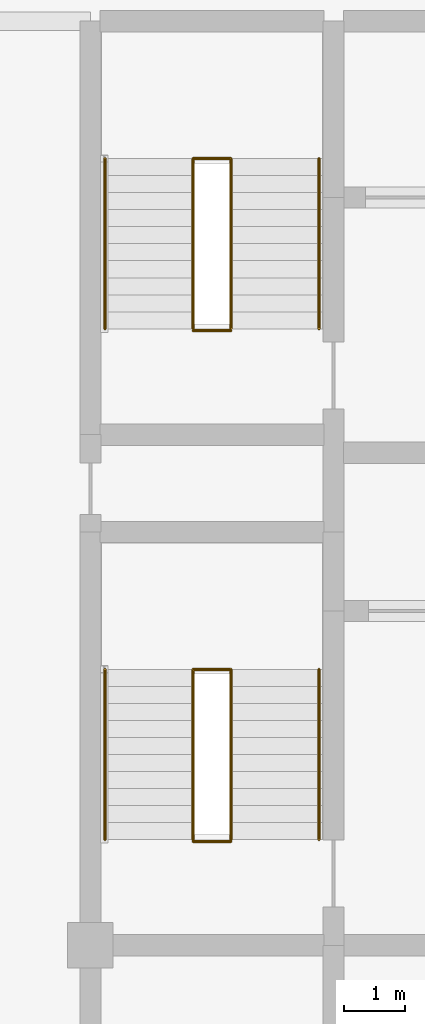
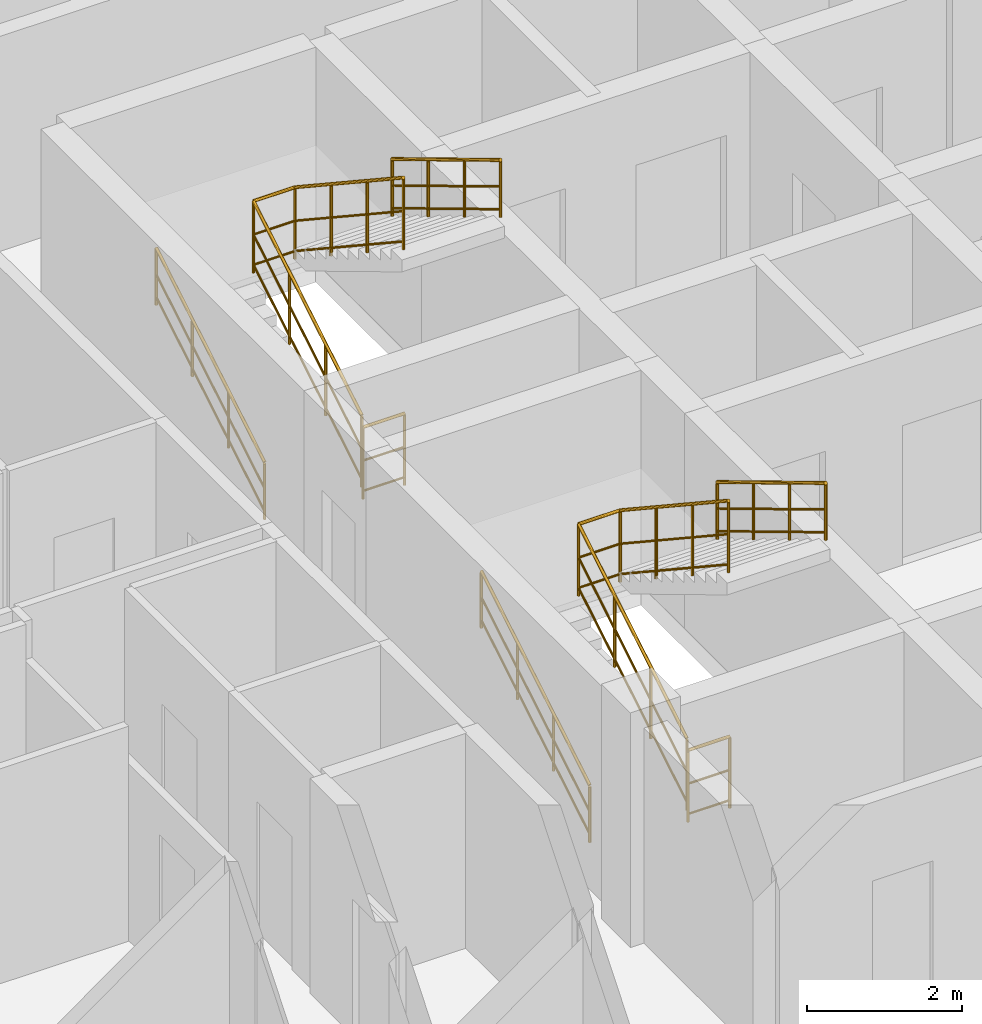
# One storey, part 27 of 27: 8 railings.
"""IFC4 building model written with IfcOpenShell, lengths in metres."""

from ifc_helpers import new_model, si_unit, direction, frame, origin, origin_2d, place, context, subcontext, project, spatial, circle, extrude, material, layer, layer_set, type_object, element, save


model = new_model("IFC4")

# Units and contexts
model_context = context("Model", 3, precision=1e-05, world=origin(), true_north=direction((0.0, 1.0)))
body_context = subcontext(model_context, "Body", "Model", "MODEL_VIEW")
ifc_project = project(units=[si_unit("LENGTHUNIT", "METRE"), si_unit("AREAUNIT", "SQUARE_METRE"), si_unit("VOLUMEUNIT", "CUBIC_METRE"), si_unit("PLANEANGLEUNIT", "RADIAN"), si_unit("MASSUNIT", "GRAM", prefix="KILO")], contexts=[model_context])

# Site, building, storey
site_placement = place(None, origin())
site = spatial("IfcSite", under=ifc_project, at=site_placement, CompositionType="ELEMENT")
building_placement = place(site_placement, origin())
building = spatial("IfcBuilding", under=site, at=building_placement, Name="Keshet Zoharim Tower", CompositionType="ELEMENT")
storey_placement = place(building_placement, frame((0.0, 0.0, 247.300048828125)))
storey = spatial("IfcBuildingStorey", under=building, at=storey_placement, Name="L61", CompositionType="ELEMENT", Elevation=247.300048828125)

# Railings
ifc_material = material(Name="Steel S355", Category="steel")
ifc_layer_1 = layer(ifc_material, 0.050048828125)
ifc_layer_set_1 = layer_set([ifc_layer_1], Name="Steel S355")
railing_type_1 = type_object("IfcRailingType", Name="RL-HND-092", PredefinedType="HANDRAIL", material=ifc_layer_set_1)
railing_1_placement = place(storey_placement, frame((15.239990234375, 24.43994140625, 0.168212890625)))
element("IfcRailing", 1, at=railing_1_placement, inside=storey, type_object=railing_type_1, Name="L61 ST-01 Flight 1 Wall Handrail", PredefinedType="HANDRAIL", context=body_context, shape_type="SweptSolid", body=[
    extrude(circle(Radius=0.02392578125, at=origin_2d()), frame((0.0, 0.0, 0.89599609375), z_axis=(0.0, 0.857275202839, 0.514858452973), x_axis=(-1.0, 0.0, 0.0)), (0.0, 0.0, 1.0), 3.26611328125),
    extrude(circle(Radius=0.01611328125, at=origin_2d()), frame((0.0, 0.0, 0.478271484375), z_axis=(0.0, 0.857275202839, 0.514858452973), x_axis=(-1.0, 0.0, 0.0)), (0.0, 0.0, 1.0), 3.26611328125),
    extrude(circle(Radius=0.01611328125, at=origin_2d()), frame((0.0, 0.0, 0.1201171875), z_axis=(0.0, 0.857275202839, 0.514858452973), x_axis=(-1.0, 0.0, 0.0)), (0.0, 0.0, 1.0), 3.26611328125),
    extrude(circle(Radius=0.02099609375, at=origin_2d()), origin(), (0.0, 0.0, 1.0), 0.871826171875),
    extrude(circle(Radius=0.02099609375, at=origin_2d()), frame((0.0, 0.933349609375, 0.560546875)), (0.0, 0.0, 1.0), 0.871826171875),
    extrude(circle(Radius=0.02099609375, at=origin_2d()), frame((0.0, 1.86669921875, 1.12109375)), (0.0, 0.0, 1.0), 0.871826171875),
    extrude(circle(Radius=0.02099609375, at=origin_2d()), frame((0.0, 2.800048828125, 1.681640625)), (0.0, 0.0, 1.0), 0.871826171875),
])
railing_2_placement = place(storey_placement, frame((18.760009765625, 27.239990234375, 2.01806640625)))
element("IfcRailing", 2, at=railing_2_placement, inside=storey, type_object=railing_type_1, Name="L61 ST-01 Flight 2 Wall Handrail", PredefinedType="HANDRAIL", context=body_context, shape_type="SweptSolid", body=[
    extrude(circle(Radius=0.02392578125, at=origin_2d()), frame((0.0, 0.0, 0.89599609375), z_axis=(0.0, -0.857242210791, 0.514913383045), x_axis=(1.0, 0.0, 0.0)), (0.0, 0.0, 1.0), 3.266357421875),
    extrude(circle(Radius=0.01611328125, at=origin_2d()), frame((0.0, 0.0, 0.478271484375), z_axis=(0.0, -0.857242210791, 0.514913383045), x_axis=(1.0, 0.0, 0.0)), (0.0, 0.0, 1.0), 3.266357421875),
    extrude(circle(Radius=0.01611328125, at=origin_2d()), frame((0.0, 0.0, 0.1201171875), z_axis=(0.0, -0.857242210791, 0.514913383045), x_axis=(1.0, 0.0, 0.0)), (0.0, 0.0, 1.0), 3.266357421875),
    extrude(circle(Radius=0.02099609375, at=origin_2d()), origin(), (0.0, 0.0, 1.0), 0.871826171875),
    extrude(circle(Radius=0.02099609375, at=origin_2d()), frame((0.0, -0.933349609375, 0.560546875)), (0.0, 0.0, 1.0), 0.871826171875),
    extrude(circle(Radius=0.02099609375, at=origin_2d()), frame((0.0, -1.86669921875, 1.121337890625)), (0.0, 0.0, 1.0), 0.871826171875),
    extrude(circle(Radius=0.02099609375, at=origin_2d()), frame((0.0, -2.800048828125, 1.681884765625)), (0.0, 0.0, 1.0), 0.871826171875),
])
railing_3_placement = place(storey_placement, frame((15.239990234375, 32.840087890625, 0.168212890625)))
element("IfcRailing", 3, at=railing_3_placement, inside=storey, type_object=railing_type_1, Name="L61 ST-02 Flight 1 Wall Handrail", PredefinedType="HANDRAIL", context=body_context, shape_type="SweptSolid", body=[
    extrude(circle(Radius=0.02392578125, at=origin_2d()), frame((0.0, 0.0, 0.89599609375), z_axis=(0.0, 0.857255387014, 0.514891446264), x_axis=(-1.0, 0.0, 0.0)), (0.0, 0.0, 1.0), 3.26611328125),
    extrude(circle(Radius=0.01611328125, at=origin_2d()), frame((0.0, 0.0, 0.478271484375), z_axis=(0.0, 0.857255387014, 0.514891446264), x_axis=(-1.0, 0.0, 0.0)), (0.0, 0.0, 1.0), 3.26611328125),
    extrude(circle(Radius=0.01611328125, at=origin_2d()), frame((0.0, 0.0, 0.1201171875), z_axis=(0.0, 0.857255387014, 0.514891446264), x_axis=(-1.0, 0.0, 0.0)), (0.0, 0.0, 1.0), 3.26611328125),
    extrude(circle(Radius=0.02099609375, at=origin_2d()), origin(), (0.0, 0.0, 1.0), 0.871826171875),
    extrude(circle(Radius=0.02099609375, at=origin_2d()), frame((0.0, 0.933349609375, 0.560546875)), (0.0, 0.0, 1.0), 0.871826171875),
    extrude(circle(Radius=0.02099609375, at=origin_2d()), frame((0.0, 1.866455078125, 1.12109375)), (0.0, 0.0, 1.0), 0.871826171875),
    extrude(circle(Radius=0.02099609375, at=origin_2d()), frame((0.0, 2.7998046875, 1.681640625)), (0.0, 0.0, 1.0), 0.871826171875),
])
railing_4_placement = place(storey_placement, frame((18.760009765625, 35.639892578125, 2.01806640625)))
element("IfcRailing", 4, at=railing_4_placement, inside=storey, type_object=railing_type_1, Name="L61 ST-02 Flight 2 Wall Handrail", PredefinedType="HANDRAIL", context=body_context, shape_type="SweptSolid", body=[
    extrude(circle(Radius=0.02392578125, at=origin_2d()), frame((0.0, 0.0, 0.89599609375), z_axis=(0.0, -0.857222391501, 0.514946377315), x_axis=(1.0, 0.0, 0.0)), (0.0, 0.0, 1.0), 3.26611328125),
    extrude(circle(Radius=0.01611328125, at=origin_2d()), frame((0.0, 0.0, 0.478271484375), z_axis=(0.0, -0.857222391501, 0.514946377315), x_axis=(1.0, 0.0, 0.0)), (0.0, 0.0, 1.0), 3.26611328125),
    extrude(circle(Radius=0.01611328125, at=origin_2d()), frame((0.0, 0.0, 0.1201171875), z_axis=(0.0, -0.857222391501, 0.514946377315), x_axis=(1.0, 0.0, 0.0)), (0.0, 0.0, 1.0), 3.26611328125),
    extrude(circle(Radius=0.02099609375, at=origin_2d()), origin(), (0.0, 0.0, 1.0), 0.871826171875),
    extrude(circle(Radius=0.02099609375, at=origin_2d()), frame((0.0, -0.933349609375, 0.560546875)), (0.0, 0.0, 1.0), 0.871826171875),
    extrude(circle(Radius=0.02099609375, at=origin_2d()), frame((0.0, -1.866455078125, 1.121337890625)), (0.0, 0.0, 1.0), 0.871826171875),
    extrude(circle(Radius=0.02099609375, at=origin_2d()), frame((0.0, -2.7998046875, 1.681884765625)), (0.0, 0.0, 1.0), 0.871826171875),
])
ifc_layer_2 = layer(ifc_material, 0.06005859375)
ifc_layer_set_2 = layer_set([ifc_layer_2], Name="Steel S355")
railing_type_2 = type_object("IfcRailingType", Name="RL-STG-115", PredefinedType="GUARDRAIL", material=ifc_layer_set_2)
railing_5_placement = place(storey_placement, frame((16.68994140625, 24.43994140625, 0.168212890625)))
element("IfcRailing", 5, at=railing_5_placement, inside=storey, type_object=railing_type_2, Name="L61 ST-01 Inner Well Guardrail", PredefinedType="GUARDRAIL", context=body_context, shape_type="SweptSolid", body=[
    extrude(circle(Radius=0.02392578125, at=origin_2d()), frame((0.0, 0.0, 1.1259765625), z_axis=(0.0, 0.857275202839, 0.514858452973), x_axis=(-1.0, 0.0, 0.0)), (0.0, 0.0, 1.0), 3.26611328125),
    extrude(circle(Radius=0.01611328125, at=origin_2d()), frame((0.0, 0.0, 0.597900390625), z_axis=(0.0, 0.857275202839, 0.514858452973), x_axis=(-1.0, 0.0, 0.0)), (0.0, 0.0, 1.0), 3.26611328125),
    extrude(circle(Radius=0.01611328125, at=origin_2d()), frame((0.0, 0.0, 0.1201171875), z_axis=(0.0, 0.857275202839, 0.514858452973), x_axis=(-1.0, 0.0, 0.0)), (0.0, 0.0, 1.0), 3.26611328125),
    extrude(circle(Radius=0.02392578125, at=origin_2d()), frame((0.0, 2.800048828125, 2.8076171875), z_axis=(1.0, 0.0, 0.0), x_axis=(0.0, 1.0, 0.0)), (0.0, 0.0, 1.0), 0.6201171875),
    extrude(circle(Radius=0.01611328125, at=origin_2d()), frame((0.0, 2.800048828125, 2.279541015625), z_axis=(1.0, 0.0, 0.0), x_axis=(0.0, 1.0, 0.0)), (0.0, 0.0, 1.0), 0.6201171875),
    extrude(circle(Radius=0.01611328125, at=origin_2d()), frame((0.0, 2.800048828125, 1.8017578125), z_axis=(1.0, 0.0, 0.0), x_axis=(0.0, 1.0, 0.0)), (0.0, 0.0, 1.0), 0.6201171875),
    extrude(circle(Radius=0.02392578125, at=origin_2d()), frame((0.6201171875, 2.800048828125, 2.8076171875), z_axis=(0.0, -0.834326358476, 0.551270829586), x_axis=(1.0, 0.0, 0.0)), (0.0, 0.0, 1.0), 3.35595703125),
    extrude(circle(Radius=0.01611328125, at=origin_2d()), frame((0.6201171875, 2.800048828125, 2.279541015625), z_axis=(0.0, -0.834326358476, 0.551270829586), x_axis=(1.0, 0.0, 0.0)), (0.0, 0.0, 1.0), 3.35595703125),
    extrude(circle(Radius=0.01611328125, at=origin_2d()), frame((0.6201171875, 2.800048828125, 1.8017578125), z_axis=(0.0, -0.834326358476, 0.551270829586), x_axis=(1.0, 0.0, 0.0)), (0.0, 0.0, 1.0), 3.35595703125),
    extrude(circle(Radius=0.02099609375, at=origin_2d()), origin(), (0.0, 0.0, 1.0), 1.101806640625),
    extrude(circle(Radius=0.02099609375, at=origin_2d()), frame((0.0, 0.933349609375, 0.560546875)), (0.0, 0.0, 1.0), 1.101806640625),
    extrude(circle(Radius=0.02099609375, at=origin_2d()), frame((0.0, 1.86669921875, 1.12109375)), (0.0, 0.0, 1.0), 1.101806640625),
    extrude(circle(Radius=0.02099609375, at=origin_2d()), frame((0.0, 2.800048828125, 1.681640625)), (0.0, 0.0, 1.0), 1.101806640625),
    extrude(circle(Radius=0.02099609375, at=origin_2d()), frame((0.6201171875, 2.800048828125, 1.681640625)), (0.0, 0.0, 1.0), 1.101806640625),
    extrude(circle(Radius=0.02099609375, at=origin_2d()), frame((0.6201171875, 1.86669921875, 2.29833984375)), (0.0, 0.0, 1.0), 1.101806640625),
    extrude(circle(Radius=0.02099609375, at=origin_2d()), frame((0.6201171875, 0.933349609375, 2.9150390625)), (0.0, 0.0, 1.0), 1.101806640625),
    extrude(circle(Radius=0.02099609375, at=origin_2d()), frame((0.6201171875, 0.0, 3.53173828125)), (0.0, 0.0, 1.0), 1.101806640625),
])
railing_6_placement = place(storey_placement, frame((16.68994140625, 24.409912109375, 0.0)))
element("IfcRailing", 6, at=railing_6_placement, inside=storey, type_object=railing_type_2, Name="L61 ST-01 Stairwell Floor Guardrail", PredefinedType="GUARDRAIL", context=body_context, shape_type="SweptSolid", body=[
    extrude(circle(Radius=0.02392578125, at=origin_2d()), frame((0.0, 0.0, 1.1259765625), z_axis=(1.0, 0.0, 0.0), x_axis=(0.0, 1.0, 0.0)), (0.0, 0.0, 1.0), 0.6201171875),
    extrude(circle(Radius=0.01611328125, at=origin_2d()), frame((0.0, 0.0, 0.597900390625), z_axis=(1.0, 0.0, 0.0), x_axis=(0.0, 1.0, 0.0)), (0.0, 0.0, 1.0), 0.6201171875),
    extrude(circle(Radius=0.01611328125, at=origin_2d()), frame((0.0, 0.0, 0.1201171875), z_axis=(1.0, 0.0, 0.0), x_axis=(0.0, 1.0, 0.0)), (0.0, 0.0, 1.0), 0.6201171875),
    extrude(circle(Radius=0.02099609375, at=origin_2d()), origin(), (0.0, 0.0, 1.0), 1.101806640625),
    extrude(circle(Radius=0.02099609375, at=origin_2d()), frame((0.6201171875, 0.0, 0.0)), (0.0, 0.0, 1.0), 1.101806640625),
])
railing_7_placement = place(storey_placement, frame((16.68994140625, 32.840087890625, 0.168212890625)))
element("IfcRailing", 7, at=railing_7_placement, inside=storey, type_object=railing_type_2, Name="L61 ST-02 Inner Well Guardrail", PredefinedType="GUARDRAIL", context=body_context, shape_type="SweptSolid", body=[
    extrude(circle(Radius=0.02392578125, at=origin_2d()), frame((0.0, 0.0, 1.1259765625), z_axis=(0.0, 0.857255387014, 0.514891446264), x_axis=(-1.0, 0.0, 0.0)), (0.0, 0.0, 1.0), 3.26611328125),
    extrude(circle(Radius=0.01611328125, at=origin_2d()), frame((0.0, 0.0, 0.597900390625), z_axis=(0.0, 0.857255387014, 0.514891446264), x_axis=(-1.0, 0.0, 0.0)), (0.0, 0.0, 1.0), 3.26611328125),
    extrude(circle(Radius=0.01611328125, at=origin_2d()), frame((0.0, 0.0, 0.1201171875), z_axis=(0.0, 0.857255387014, 0.514891446264), x_axis=(-1.0, 0.0, 0.0)), (0.0, 0.0, 1.0), 3.26611328125),
    extrude(circle(Radius=0.02392578125, at=origin_2d()), frame((0.0, 2.7998046875, 2.8076171875), z_axis=(1.0, 0.0, 0.0), x_axis=(0.0, 1.0, 0.0)), (0.0, 0.0, 1.0), 0.6201171875),
    extrude(circle(Radius=0.01611328125, at=origin_2d()), frame((0.0, 2.7998046875, 2.279541015625), z_axis=(1.0, 0.0, 0.0), x_axis=(0.0, 1.0, 0.0)), (0.0, 0.0, 1.0), 0.6201171875),
    extrude(circle(Radius=0.01611328125, at=origin_2d()), frame((0.0, 2.7998046875, 1.8017578125), z_axis=(1.0, 0.0, 0.0), x_axis=(0.0, 1.0, 0.0)), (0.0, 0.0, 1.0), 0.6201171875),
    extrude(circle(Radius=0.02392578125, at=origin_2d()), frame((0.6201171875, 2.7998046875, 2.8076171875), z_axis=(0.0, -0.834304248922, 0.551304290053), x_axis=(1.0, 0.0, 0.0)), (0.0, 0.0, 1.0), 3.35595703125),
    extrude(circle(Radius=0.01611328125, at=origin_2d()), frame((0.6201171875, 2.7998046875, 2.279541015625), z_axis=(0.0, -0.834304248922, 0.551304290053), x_axis=(1.0, 0.0, 0.0)), (0.0, 0.0, 1.0), 3.35595703125),
    extrude(circle(Radius=0.01611328125, at=origin_2d()), frame((0.6201171875, 2.7998046875, 1.8017578125), z_axis=(0.0, -0.834304248922, 0.551304290053), x_axis=(1.0, 0.0, 0.0)), (0.0, 0.0, 1.0), 3.35595703125),
    extrude(circle(Radius=0.02099609375, at=origin_2d()), origin(), (0.0, 0.0, 1.0), 1.101806640625),
    extrude(circle(Radius=0.02099609375, at=origin_2d()), frame((0.0, 0.933349609375, 0.560546875)), (0.0, 0.0, 1.0), 1.101806640625),
    extrude(circle(Radius=0.02099609375, at=origin_2d()), frame((0.0, 1.866455078125, 1.12109375)), (0.0, 0.0, 1.0), 1.101806640625),
    extrude(circle(Radius=0.02099609375, at=origin_2d()), frame((0.0, 2.7998046875, 1.681640625)), (0.0, 0.0, 1.0), 1.101806640625),
    extrude(circle(Radius=0.02099609375, at=origin_2d()), frame((0.6201171875, 2.7998046875, 1.681640625)), (0.0, 0.0, 1.0), 1.101806640625),
    extrude(circle(Radius=0.02099609375, at=origin_2d()), frame((0.6201171875, 1.866455078125, 2.29833984375)), (0.0, 0.0, 1.0), 1.101806640625),
    extrude(circle(Radius=0.02099609375, at=origin_2d()), frame((0.6201171875, 0.933349609375, 2.9150390625)), (0.0, 0.0, 1.0), 1.101806640625),
    extrude(circle(Radius=0.02099609375, at=origin_2d()), frame((0.6201171875, 0.0, 3.53173828125)), (0.0, 0.0, 1.0), 1.101806640625),
])
railing_8_placement = place(storey_placement, frame((16.68994140625, 32.81005859375, 0.0)))
element("IfcRailing", 8, at=railing_8_placement, inside=storey, type_object=railing_type_2, Name="L61 ST-02 Stairwell Floor Guardrail", PredefinedType="GUARDRAIL", context=body_context, shape_type="SweptSolid", body=[
    extrude(circle(Radius=0.02392578125, at=origin_2d()), frame((0.0, 0.0, 1.1259765625), z_axis=(1.0, 0.0, 0.0), x_axis=(0.0, 1.0, 0.0)), (0.0, 0.0, 1.0), 0.6201171875),
    extrude(circle(Radius=0.01611328125, at=origin_2d()), frame((0.0, 0.0, 0.597900390625), z_axis=(1.0, 0.0, 0.0), x_axis=(0.0, 1.0, 0.0)), (0.0, 0.0, 1.0), 0.6201171875),
    extrude(circle(Radius=0.01611328125, at=origin_2d()), frame((0.0, 0.0, 0.1201171875), z_axis=(1.0, 0.0, 0.0), x_axis=(0.0, 1.0, 0.0)), (0.0, 0.0, 1.0), 0.6201171875),
    extrude(circle(Radius=0.02099609375, at=origin_2d()), origin(), (0.0, 0.0, 1.0), 1.101806640625),
    extrude(circle(Radius=0.02099609375, at=origin_2d()), frame((0.6201171875, 0.0, 0.0)), (0.0, 0.0, 1.0), 1.101806640625),
])

save(model, "model.ifc")
